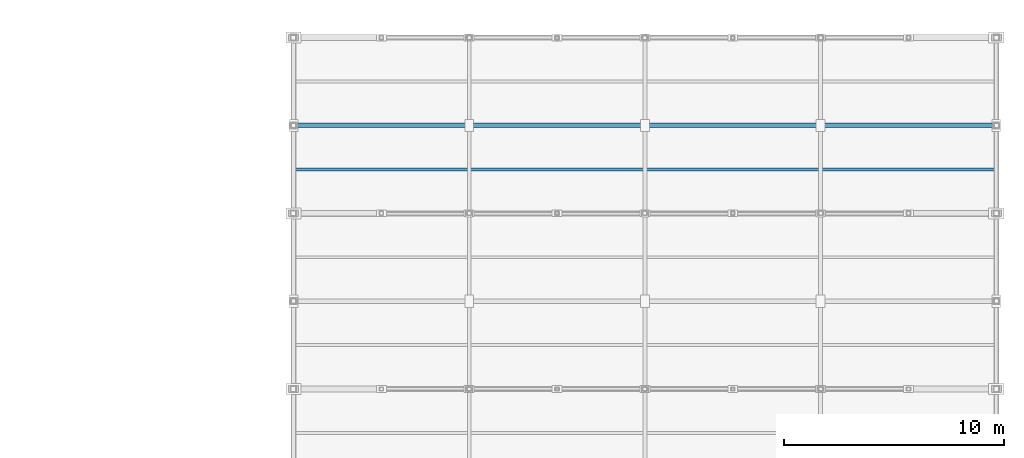
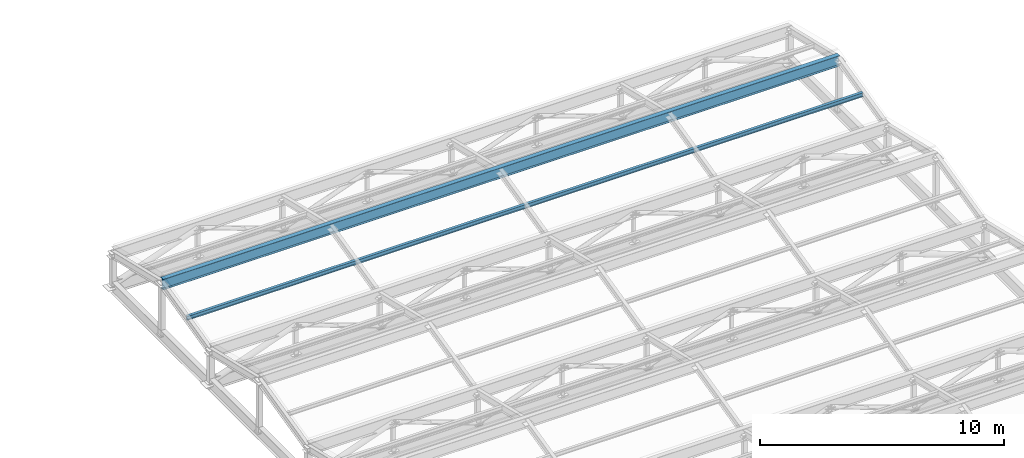
# One storey, part 62 of 112: 2 members.
"""IFC4 building model written with IfcOpenShell, lengths in metres."""

from ifc_helpers import new_model, si_unit, direction, frame, origin, origin_2d, place, context, subcontext, project, spatial, i_section, extrude, material, material_profile, profile_set, type_object, element, save


model = new_model("IFC4")

# Units and contexts
model_context = context("Model", 3, precision=1e-05, world=origin(), true_north=direction((0.0, 1.0)))
body_context = subcontext(model_context, "Body", "Model", "MODEL_VIEW")
ifc_project = project(units=[si_unit("LENGTHUNIT", "METRE"), si_unit("AREAUNIT", "SQUARE_METRE"), si_unit("VOLUMEUNIT", "CUBIC_METRE"), si_unit("PLANEANGLEUNIT", "RADIAN"), si_unit("MASSUNIT", "GRAM", prefix="KILO")], contexts=[model_context])

# Site, building, storey
site_placement = place(None, origin())
site = spatial("IfcSite", under=ifc_project, at=site_placement, CompositionType="ELEMENT")
building_placement = place(site_placement, origin())
building = spatial("IfcBuilding", under=site, at=building_placement, Name="Celadon Cloister-Ring School", CompositionType="ELEMENT")
storey_placement = place(building_placement, frame((0.0, 0.0, 8.5)))
storey = spatial("IfcBuildingStorey", under=building, at=storey_placement, Name="L02", CompositionType="ELEMENT", Elevation=8.5)

# Members
ifc_material_1 = material(Name="Structural steel S355JR", Category="steel")
ifc_material_profile_1 = material_profile(ifc_material_1, i_section(OverallWidth=0.208984375, OverallDepth=0.532958984375, WebThickness=0.01025390625, FlangeThickness=0.015625, at=origin_2d()), Name="W530X92")
ifc_profile_set_1 = profile_set([ifc_material_profile_1], Name="Structural steel S355JR")
member_type_1 = type_object("IfcMemberType", Name="MC-03", PredefinedType="CHORD", material=ifc_profile_set_1)
member_1_placement = place(storey_placement, frame((142.0, 110.0, 3.449951171875), z_axis=(1.0, 0.0, 0.0), x_axis=(0.0, 1.0, 0.0)))
element("IfcMember", 1, at=member_1_placement, inside=storey, type_object=member_type_1, Name="Structural Member 0569", PredefinedType="CHORD", context=body_context, shape_type="SweptSolid", body=[
    extrude(i_section(OverallWidth=0.208984375, OverallDepth=0.532958984375, WebThickness=0.01025390625, FlangeThickness=0.015625, at=origin_2d()), origin(), (0.0, 0.0, 1.0), 32.0),
])
ifc_material_2 = material(Name="Structural steel S355JR", Category="steel")
ifc_material_profile_2 = material_profile(ifc_material_2, i_section(OverallWidth=0.133056640625, OverallDepth=0.20703125, WebThickness=0.005859375, FlangeThickness=0.00830078125, at=origin_2d()), Name="W200X27")
ifc_profile_set_2 = profile_set([ifc_material_profile_2], Name="Structural steel S355JR")
member_type_2 = type_object("IfcMemberType", Name="MP-04", PredefinedType="PURLIN", material=ifc_profile_set_2)
member_2_placement = place(storey_placement, frame((142.02001953125, 108.0, 2.949951171875), z_axis=(1.0, 0.0, 0.0), x_axis=(0.0, 1.0, 0.0)))
element("IfcMember", 2, at=member_2_placement, inside=storey, type_object=member_type_2, Name="Structural Member 0580", PredefinedType="PURLIN", context=body_context, shape_type="SweptSolid", body=[
    extrude(i_section(OverallWidth=0.133056640625, OverallDepth=0.20703125, WebThickness=0.005859375, FlangeThickness=0.00830078125, at=origin_2d()), origin(), (0.0, 0.0, 1.0), 31.9599609375),
])

save(model, "model.ifc")
